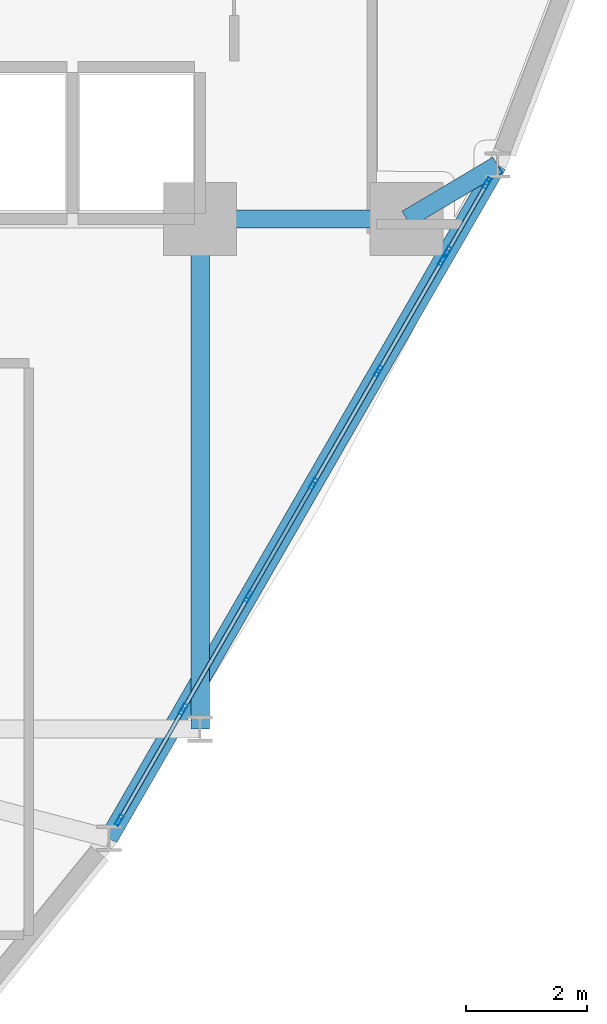
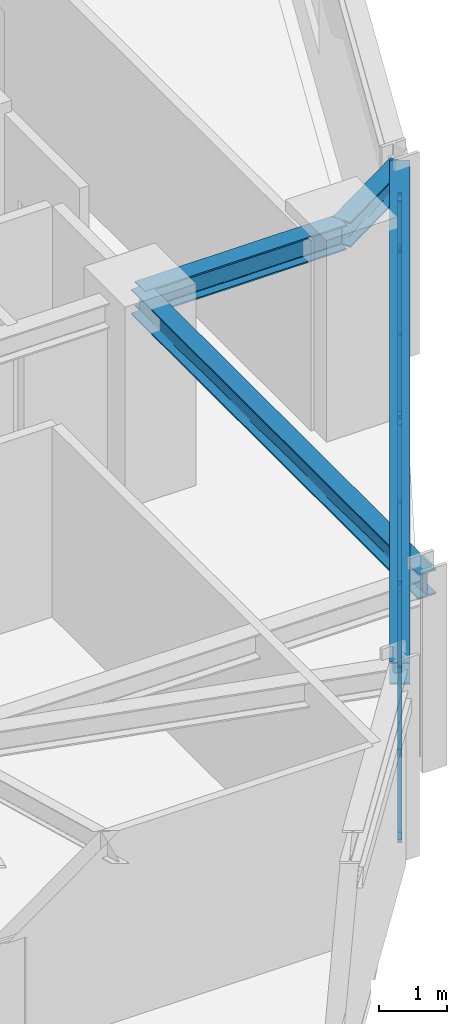
# One storey, part 6 of 15: 22 members, 4 beams, 2 elements without a shape of their own.
"""IFC4 building model written with IfcOpenShell, lengths in metres."""

from ifc_helpers import new_model, si_unit, derived_unit, direction, frame, origin, origin_2d, place, context, subcontext, project, spatial, hollow_rectangle, i_section, extrude, source, transform, mapped, material, layer, layer_set, material_profile, profile_set, type_object, element, aggregate, save


model = new_model("IFC4")

# Units and contexts
model_context = context("Model", 3, precision=1e-05, world=origin(), true_north=direction((0.0, 1.0)))
body_context = subcontext(model_context, "Body", "Model", "MODEL_VIEW")
ifc_project = project(units=[si_unit("LENGTHUNIT", "METRE"), si_unit("AREAUNIT", "SQUARE_METRE"), si_unit("VOLUMEUNIT", "CUBIC_METRE"), si_unit("PLANEANGLEUNIT", "RADIAN"), si_unit("MASSUNIT", "GRAM", prefix="KILO"), derived_unit("THERMALTRANSMITTANCEUNIT", [(si_unit("POWERUNIT", "WATT"), 1), (si_unit("LENGTHUNIT", "METRE"), -2), (si_unit("THERMODYNAMICTEMPERATUREUNIT", "KELVIN"), -1)])], contexts=[model_context])

# Site, building, storey
site_placement = place(None, origin())
site = spatial("IfcSite", under=ifc_project, at=site_placement, CompositionType="ELEMENT")
building_placement = place(site_placement, origin())
building = spatial("IfcBuilding", under=site, at=building_placement, Name="Korsvarv Bourse and Concert Hall", CompositionType="ELEMENT")
storey_placement = place(building_placement, frame((0.0, 0.0, 161.39990234375)))
storey = spatial("IfcBuildingStorey", under=building, at=storey_placement, Name="L41", CompositionType="ELEMENT", Elevation=161.39990234375)

# Beams
ifc_material_1 = material(Name="Steel S355", Category="steel")
ifc_material_profile_1 = material_profile(ifc_material_1, i_section(OverallWidth=0.300048828125, OverallDepth=0.449951171875, WebThickness=0.013916015625, FlangeThickness=0.02587890625, FilletRadius=0.02099609375, at=origin_2d()), Name="HEB 450")
ifc_profile_set_1 = profile_set([ifc_material_profile_1], Name="Steel S355")
beam_type_1 = type_object("IfcBeamType", Name="BM-HEB450", PredefinedType="SPANDREL", material=ifc_profile_set_1)
shared_shape_1 = source(origin(), body_context, "Body", "SweptSolid", [
    extrude(i_section(OverallWidth=0.300048828125, OverallDepth=0.449951171875, WebThickness=0.013916015625, FlangeThickness=0.02587890625, FilletRadius=0.02099609375, at=origin_2d()), origin(), (0.0, 0.0, 1.0), 3.400146484375),
])
beam_1_placement = place(storey_placement, frame((44.39990234375, 32.39990234375, 3.175048828125), z_axis=(1.0, 0.0, 0.0), x_axis=(0.0, 1.0, 0.0)))
element("IfcBeam", 1, at=beam_1_placement, inside=storey, type_object=beam_type_1, Name="L41 beam B-08", PredefinedType="SPANDREL", context=body_context, shape_type="MappedRepresentation", body=[
    mapped(shared_shape_1, transform((0.0, 0.0, 0.0), scale=1.0)),
])
shared_shape_2 = source(origin(), body_context, "Body", "SweptSolid", [
    extrude(i_section(OverallWidth=0.300048828125, OverallDepth=0.449951171875, WebThickness=0.013916015625, FlangeThickness=0.02587890625, FilletRadius=0.02099609375, at=origin_2d()), origin(), (0.0, 0.0, 1.0), 8.39990234375),
])
beam_2_placement = place(storey_placement, frame((44.39990234375, 24.0, 3.175048828125), z_axis=(0.0, 1.0, 0.0), x_axis=(-1.0, 0.0, 0.0)))
element("IfcBeam", 2, at=beam_2_placement, inside=storey, type_object=beam_type_1, Name="L41 beam B-08", PredefinedType="SPANDREL", context=body_context, shape_type="MappedRepresentation", body=[
    mapped(shared_shape_2, transform((0.0, 0.0, 0.0), scale=1.0)),
])
ifc_material_profile_2 = material_profile(ifc_material_1, i_section(OverallWidth=0.300048828125, OverallDepth=0.39990234375, WebThickness=0.013427734375, FlangeThickness=0.02392578125, FilletRadius=0.02099609375, at=origin_2d()), Name="HEB 400")
ifc_profile_set_2 = profile_set([ifc_material_profile_2], Name="Steel S355")
beam_type_2 = type_object("IfcBeamType", Name="BM-HEB400", PredefinedType="SPANDREL", material=ifc_profile_set_2)
shared_shape_3 = source(origin(), body_context, "Body", "SweptSolid", [
    extrude(i_section(OverallWidth=0.300048828125, OverallDepth=0.39990234375, WebThickness=0.013427734375, FlangeThickness=0.02392578125, FilletRadius=0.02099609375, at=origin_2d()), origin(), (0.0, 0.0, 1.0), 12.802978515625),
])
beam_3_placement = place(storey_placement, frame((42.895263671875, 22.202392578125, 3.2001953125), z_axis=(0.499994815902, 0.866028396804, 0.0), x_axis=(-0.866028396804, 0.499994815902, 0.0)))
element("IfcBeam", 3, at=beam_3_placement, inside=storey, type_object=beam_type_2, Name="L41 beam B-09", PredefinedType="SPANDREL", context=body_context, shape_type="MappedRepresentation", body=[
    mapped(shared_shape_3, transform((0.0, 0.0, 0.0), scale=1.0)),
])
shared_shape_4 = source(origin(), body_context, "Body", "SweptSolid", [
    extrude(i_section(OverallWidth=0.300048828125, OverallDepth=0.449951171875, WebThickness=0.013916015625, FlangeThickness=0.02587890625, FilletRadius=0.02099609375, at=origin_2d()), origin(), (0.0, 0.0, 1.0), 1.7412109375),
])
beam_4_placement = place(storey_placement, frame((49.296630859375, 33.2900390625, 3.175048828125), z_axis=(-0.85946596588, -0.511192970897, 0.0), x_axis=(0.511192970897, -0.85946596588, 0.0)))
element("IfcBeam", 4, at=beam_4_placement, inside=storey, type_object=beam_type_1, Name="L41 beam B-08", PredefinedType="SPANDREL", context=body_context, shape_type="MappedRepresentation", body=[
    mapped(shared_shape_4, transform((0.0, 0.0, 0.0), scale=1.0)),
])

# Curtain wall, members
ifc_material_2 = material(Name="Anodised aluminium and triple low-E glazing", Category="glass")
ifc_layer = layer(ifc_material_2, 0.2099609375)
ifc_layer_set = layer_set([ifc_layer], Name="Anodised aluminium and triple low-E glazing")
curtain_wall_type = type_object("IfcCurtainWallType", Name="CW-SYS-2", PredefinedType="NOTDEFINED", material=ifc_layer_set)
curtain_wall_1_placement = place(storey_placement, origin())
curtain_wall_1 = element("IfcCurtainWall", 5, at=curtain_wall_1_placement, inside=storey, type_object=curtain_wall_type, Name="L41 CW2 curtain wall CW-L41-F11-1", PredefinedType="NOTDEFINED")
ifc_material_3 = material(Name="Extruded aluminium EN AW-6063 T66", Category="aluminium")
ifc_material_profile_3 = material_profile(ifc_material_3, hollow_rectangle(XDim=0.070068359375, YDim=0.18994140625, WallThickness=0.0048828125, at=origin_2d()), Name="ALU-M 70x190")
ifc_profile_set_3 = profile_set([ifc_material_profile_3], Name="Extruded aluminium EN AW-6063 T66")
member_type_1 = type_object("IfcMemberType", Name="CWM-190", PredefinedType="MULLION", material=ifc_profile_set_3)
shared_shape_5 = source(origin(), body_context, "Body", "SweptSolid", [
    extrude(hollow_rectangle(XDim=0.070068359375, YDim=0.18994140625, WallThickness=0.0048828125, at=origin_2d()), origin(), (0.0, 0.0, 1.0), 3.0),
])
member_1_placement = place(storey_placement, frame((43.067138671875, 22.5, 0.0), z_axis=(0.0, 0.0, 1.0), x_axis=(-0.866026453118, 0.499998182496, 0.0)))
member_1 = element("IfcMember", 6, at=member_1_placement, type_object=member_type_1, Name="CW2 mullion 1", PredefinedType="MULLION", context=body_context, shape_type="MappedRepresentation", body=[
    mapped(shared_shape_5, transform((0.0, 0.0, 0.0), scale=1.0)),
])
member_2_placement = place(storey_placement, frame((44.12109375, 24.325927734375, 0.0), z_axis=(0.0, 0.0, 1.0), x_axis=(-0.866026453118, 0.499998182496, 0.0)))
member_2 = element("IfcMember", 7, at=member_2_placement, type_object=member_type_1, Name="CW2 mullion 2", PredefinedType="MULLION", context=body_context, shape_type="MappedRepresentation", body=[
    mapped(shared_shape_5, transform((0.0, 0.0, 0.0), scale=1.0)),
])
member_3_placement = place(storey_placement, frame((45.19287109375, 26.181884765625, 0.0), z_axis=(0.0, 0.0, 1.0), x_axis=(-0.866026453118, 0.499998182496, 0.0)))
member_3 = element("IfcMember", 8, at=member_3_placement, type_object=member_type_1, Name="CW2 mullion 3", PredefinedType="MULLION", context=body_context, shape_type="MappedRepresentation", body=[
    mapped(shared_shape_5, transform((0.0, 0.0, 0.0), scale=1.0)),
])
member_4_placement = place(storey_placement, frame((46.264404296875, 28.037841796875, 0.0), z_axis=(0.0, 0.0, 1.0), x_axis=(-0.866026453118, 0.499998182496, 0.0)))
member_4 = element("IfcMember", 9, at=member_4_placement, type_object=member_type_1, Name="CW2 mullion 4", PredefinedType="MULLION", context=body_context, shape_type="MappedRepresentation", body=[
    mapped(shared_shape_5, transform((0.0, 0.0, 0.0), scale=1.0)),
])
member_5_placement = place(storey_placement, frame((47.3359375, 29.89404296875, 0.0), z_axis=(0.0, 0.0, 1.0), x_axis=(-0.866026453118, 0.499998182496, 0.0)))
member_5 = element("IfcMember", 10, at=member_5_placement, type_object=member_type_1, Name="CW2 mullion 5", PredefinedType="MULLION", context=body_context, shape_type="MappedRepresentation", body=[
    mapped(shared_shape_5, transform((0.0, 0.0, 0.0), scale=1.0)),
])
member_6_placement = place(storey_placement, frame((48.389892578125, 31.7197265625, 0.0), z_axis=(0.0, 0.0, 1.0), x_axis=(-0.866026453118, 0.499998182496, 0.0)))
member_6 = element("IfcMember", 11, at=member_6_placement, type_object=member_type_1, Name="CW2 mullion 6", PredefinedType="MULLION", context=body_context, shape_type="MappedRepresentation", body=[
    mapped(shared_shape_5, transform((0.0, 0.0, 0.0), scale=1.0)),
])

curtain_wall_2_placement = place(storey_placement, origin())
curtain_wall_2 = element("IfcCurtainWall", 12, at=curtain_wall_2_placement, inside=storey, type_object=curtain_wall_type, Name="L41 CW2 curtain wall CW-L41-F11-2", PredefinedType="NOTDEFINED")
member_7_placement = place(storey_placement, frame((48.467529296875, 31.85400390625, 0.0), z_axis=(0.0, 0.0, 1.0), x_axis=(-0.866007567723, 0.500030891693, 0.0)))
member_7 = element("IfcMember", 13, at=member_7_placement, type_object=member_type_1, Name="CW2 mullion 1", PredefinedType="MULLION", context=body_context, shape_type="MappedRepresentation", body=[
    mapped(shared_shape_5, transform((0.0, 0.0, 0.0), scale=1.0)),
])
member_8_placement = place(storey_placement, frame((49.124755859375, 32.9921875, 0.0), z_axis=(0.0, 0.0, 1.0), x_axis=(-0.866007567723, 0.500030891693, 0.0)))
member_8 = element("IfcMember", 14, at=member_8_placement, type_object=member_type_1, Name="CW2 mullion 2", PredefinedType="MULLION", context=body_context, shape_type="MappedRepresentation", body=[
    mapped(shared_shape_5, transform((0.0, 0.0, 0.0), scale=1.0)),
])

# Member
ifc_material_profile_4 = material_profile(ifc_material_3, hollow_rectangle(XDim=0.06494140625, YDim=0.139892578125, WallThickness=0.00390625, at=origin_2d()), Name="ALU-T 65x140")
ifc_profile_set_4 = profile_set([ifc_material_profile_4], Name="Extruded aluminium EN AW-6063 T66")
member_type_2 = type_object("IfcMemberType", Name="CWT-140", PredefinedType="USERDEFINED", material=ifc_profile_set_4)
shared_shape_6 = source(origin(), body_context, "Body", "SweptSolid", [
    extrude(hollow_rectangle(XDim=0.06494140625, YDim=0.139892578125, WallThickness=0.00390625, at=origin_2d()), origin(), (0.0, 0.0, 1.0), 2.037841796875),
])
member_9_placement = place(storey_placement, frame((43.084716796875, 22.530517578125, 0.03271484375), z_axis=(0.500030089916, 0.866008030666, 0.0), x_axis=(-0.866008030666, 0.500030089916, 0.0)))
member_9 = element("IfcMember", 15, at=member_9_placement, type_object=member_type_2, Name="CW2 transom 1.1", ObjectType="TRANSOM", PredefinedType="USERDEFINED", context=body_context, shape_type="MappedRepresentation", body=[
    mapped(shared_shape_6, transform((0.0, 0.0, 0.0), scale=1.0)),
])

member_10_placement = place(storey_placement, frame((43.084716796875, 22.530517578125, 2.967529296875), z_axis=(0.500030089916, 0.866008030666, 0.0), x_axis=(-0.866008030666, 0.500030089916, 0.0)))
member_10 = element("IfcMember", 16, at=member_10_placement, type_object=member_type_2, Name="CW2 transom 1.2", ObjectType="TRANSOM", PredefinedType="USERDEFINED", context=body_context, shape_type="MappedRepresentation", body=[
    mapped(shared_shape_6, transform((0.0, 0.0, 0.0), scale=1.0)),
])

shared_shape_7 = source(origin(), body_context, "Body", "SweptSolid", [
    extrude(hollow_rectangle(XDim=0.06494140625, YDim=0.139892578125, WallThickness=0.00390625, at=origin_2d()), origin(), (0.0, 0.0, 1.0), 2.0732421875),
])
member_11_placement = place(storey_placement, frame((44.138671875, 24.356201171875, 0.03271484375), z_axis=(0.500014671848, 0.866016932823, 0.0), x_axis=(-0.866016932823, 0.500014671848, 0.0)))
member_11 = element("IfcMember", 17, at=member_11_placement, type_object=member_type_2, Name="CW2 transom 2.1", ObjectType="TRANSOM", PredefinedType="USERDEFINED", context=body_context, shape_type="MappedRepresentation", body=[
    mapped(shared_shape_7, transform((0.0, 0.0, 0.0), scale=1.0)),
])

member_12_placement = place(storey_placement, frame((44.138671875, 24.356201171875, 2.967529296875), z_axis=(0.500014671848, 0.866016932823, 0.0), x_axis=(-0.866016932823, 0.500014671848, 0.0)))
member_12 = element("IfcMember", 18, at=member_12_placement, type_object=member_type_2, Name="CW2 transom 2.2", ObjectType="TRANSOM", PredefinedType="USERDEFINED", context=body_context, shape_type="MappedRepresentation", body=[
    mapped(shared_shape_7, transform((0.0, 0.0, 0.0), scale=1.0)),
])

member_13_placement = place(storey_placement, frame((45.210205078125, 26.212158203125, 0.03271484375), z_axis=(0.500014671848, 0.866016932823, 0.0), x_axis=(-0.866016932823, 0.500014671848, 0.0)))
member_13 = element("IfcMember", 19, at=member_13_placement, type_object=member_type_2, Name="CW2 transom 3.1", ObjectType="TRANSOM", PredefinedType="USERDEFINED", context=body_context, shape_type="MappedRepresentation", body=[
    mapped(shared_shape_7, transform((0.0, 0.0, 0.0), scale=1.0)),
])

member_14_placement = place(storey_placement, frame((45.210205078125, 26.212158203125, 2.967529296875), z_axis=(0.500014671848, 0.866016932823, 0.0), x_axis=(-0.866016932823, 0.500014671848, 0.0)))
member_14 = element("IfcMember", 20, at=member_14_placement, type_object=member_type_2, Name="CW2 transom 3.2", ObjectType="TRANSOM", PredefinedType="USERDEFINED", context=body_context, shape_type="MappedRepresentation", body=[
    mapped(shared_shape_7, transform((0.0, 0.0, 0.0), scale=1.0)),
])

shared_shape_8 = source(origin(), body_context, "Body", "SweptSolid", [
    extrude(hollow_rectangle(XDim=0.06494140625, YDim=0.139892578125, WallThickness=0.00390625, at=origin_2d()), origin(), (0.0, 0.0, 1.0), 2.073486328125),
])
member_15_placement = place(storey_placement, frame((46.28173828125, 28.068115234375, 0.03271484375), z_axis=(0.499963683025, 0.866046370384, 0.0), x_axis=(-0.866046370384, 0.499963683025, 0.0)))
member_15 = element("IfcMember", 21, at=member_15_placement, type_object=member_type_2, Name="CW2 transom 4.1", ObjectType="TRANSOM", PredefinedType="USERDEFINED", context=body_context, shape_type="MappedRepresentation", body=[
    mapped(shared_shape_8, transform((0.0, 0.0, 0.0), scale=1.0)),
])

member_16_placement = place(storey_placement, frame((46.28173828125, 28.068115234375, 2.967529296875), z_axis=(0.499963683025, 0.866046370384, 0.0), x_axis=(-0.866046370384, 0.499963683025, 0.0)))
member_16 = element("IfcMember", 22, at=member_16_placement, type_object=member_type_2, Name="CW2 transom 4.2", ObjectType="TRANSOM", PredefinedType="USERDEFINED", context=body_context, shape_type="MappedRepresentation", body=[
    mapped(shared_shape_8, transform((0.0, 0.0, 0.0), scale=1.0)),
])

shared_shape_9 = source(origin(), body_context, "Body", "SweptSolid", [
    extrude(hollow_rectangle(XDim=0.06494140625, YDim=0.139892578125, WallThickness=0.00390625, at=origin_2d()), origin(), (0.0, 0.0, 1.0), 2.0380859375),
])
member_17_placement = place(storey_placement, frame((47.353515625, 29.92431640625, 0.03271484375), z_axis=(0.499978218965, 0.866037978706, 0.0), x_axis=(-0.866037978706, 0.499978218965, 0.0)))
member_17 = element("IfcMember", 23, at=member_17_placement, type_object=member_type_2, Name="CW2 transom 5.1", ObjectType="TRANSOM", PredefinedType="USERDEFINED", context=body_context, shape_type="MappedRepresentation", body=[
    mapped(shared_shape_9, transform((0.0, 0.0, 0.0), scale=1.0)),
])

member_18_placement = place(storey_placement, frame((47.353515625, 29.92431640625, 2.967529296875), z_axis=(0.499978218965, 0.866037978706, 0.0), x_axis=(-0.866037978706, 0.499978218965, 0.0)))
member_18 = element("IfcMember", 24, at=member_18_placement, type_object=member_type_2, Name="CW2 transom 5.2", ObjectType="TRANSOM", PredefinedType="USERDEFINED", context=body_context, shape_type="MappedRepresentation", body=[
    mapped(shared_shape_9, transform((0.0, 0.0, 0.0), scale=1.0)),
])

shared_shape_10 = source(origin(), body_context, "Body", "SweptSolid", [
    extrude(hollow_rectangle(XDim=0.06494140625, YDim=0.139892578125, WallThickness=0.00390625, at=origin_2d()), origin(), (0.0, 0.0, 1.0), 1.244384765625),
])
member_19_placement = place(storey_placement, frame((48.485107421875, 31.88427734375, 0.03271484375), z_axis=(0.499937591627, 0.866061432277, 0.0), x_axis=(-0.866061432277, 0.499937591627, 0.0)))
member_19 = element("IfcMember", 25, at=member_19_placement, type_object=member_type_2, Name="CW2 transom 1.1", ObjectType="TRANSOM", PredefinedType="USERDEFINED", context=body_context, shape_type="MappedRepresentation", body=[
    mapped(shared_shape_10, transform((0.0, 0.0, 0.0), scale=1.0)),
])

member_20_placement = place(storey_placement, frame((48.485107421875, 31.88427734375, 2.967529296875), z_axis=(0.499937591627, 0.866061432277, 0.0), x_axis=(-0.866061432277, 0.499937591627, 0.0)))
member_20 = element("IfcMember", 26, at=member_20_placement, type_object=member_type_2, Name="CW2 transom 1.2", ObjectType="TRANSOM", PredefinedType="USERDEFINED", context=body_context, shape_type="MappedRepresentation", body=[
    mapped(shared_shape_10, transform((0.0, 0.0, 0.0), scale=1.0)),
])

ifc_material_profile_5 = material_profile(ifc_material_3, hollow_rectangle(XDim=0.06494140625, YDim=0.1650390625, WallThickness=0.0048828125, at=origin_2d()), Name="ALU-M 65x165")
ifc_profile_set_5 = profile_set([ifc_material_profile_5], Name="Extruded aluminium EN AW-6063 T66")
member_type_3 = type_object("IfcMemberType", Name="CWM-165", PredefinedType="MULLION", material=ifc_profile_set_5)
shared_shape_11 = source(origin(), body_context, "Body", "SweptSolid", [
    extrude(hollow_rectangle(XDim=0.06494140625, YDim=0.1650390625, WallThickness=0.0048828125, at=origin_2d()), origin(), (0.0, 0.0, 1.0), 3.540283203125),
])
member_21_placement = place(storey_placement, frame((45.210205078125, 26.212158203125, 0.065185546875), z_axis=(0.292799834554, 0.507124348401, 0.810612825055), x_axis=(-0.866016932823, 0.500014671848, 0.0)))
member_21 = element("IfcMember", 27, at=member_21_placement, type_object=member_type_3, Name="CW2 diagonal mullion 3", PredefinedType="MULLION", context=body_context, shape_type="MappedRepresentation", body=[
    mapped(shared_shape_11, transform((0.0, 0.0, 0.0), scale=1.0)),
])

aggregate(curtain_wall_1, [member_1, member_2, member_3, member_4, member_5, member_6, member_9, member_10, member_11, member_12, member_13, member_14, member_21, member_15, member_16, member_17, member_18])

shared_shape_12 = source(origin(), body_context, "Body", "SweptSolid", [
    extrude(hollow_rectangle(XDim=0.06494140625, YDim=0.1650390625, WallThickness=0.0048828125, at=origin_2d()), origin(), (0.0, 0.0, 1.0), 3.1279296875),
])
member_22_placement = place(storey_placement, frame((48.485107421875, 31.88427734375, 0.065185546875), z_axis=(0.198870976809, 0.344511966889, 0.917475797639), x_axis=(-0.866061432277, 0.499937591627, 0.0)))
member_22 = element("IfcMember", 28, at=member_22_placement, type_object=member_type_3, Name="CW2 diagonal mullion 1", PredefinedType="MULLION", context=body_context, shape_type="MappedRepresentation", body=[
    mapped(shared_shape_12, transform((0.0, 0.0, 0.0), scale=1.0)),
])

aggregate(curtain_wall_2, [member_7, member_8, member_19, member_20, member_22])

save(model, "model.ifc")
